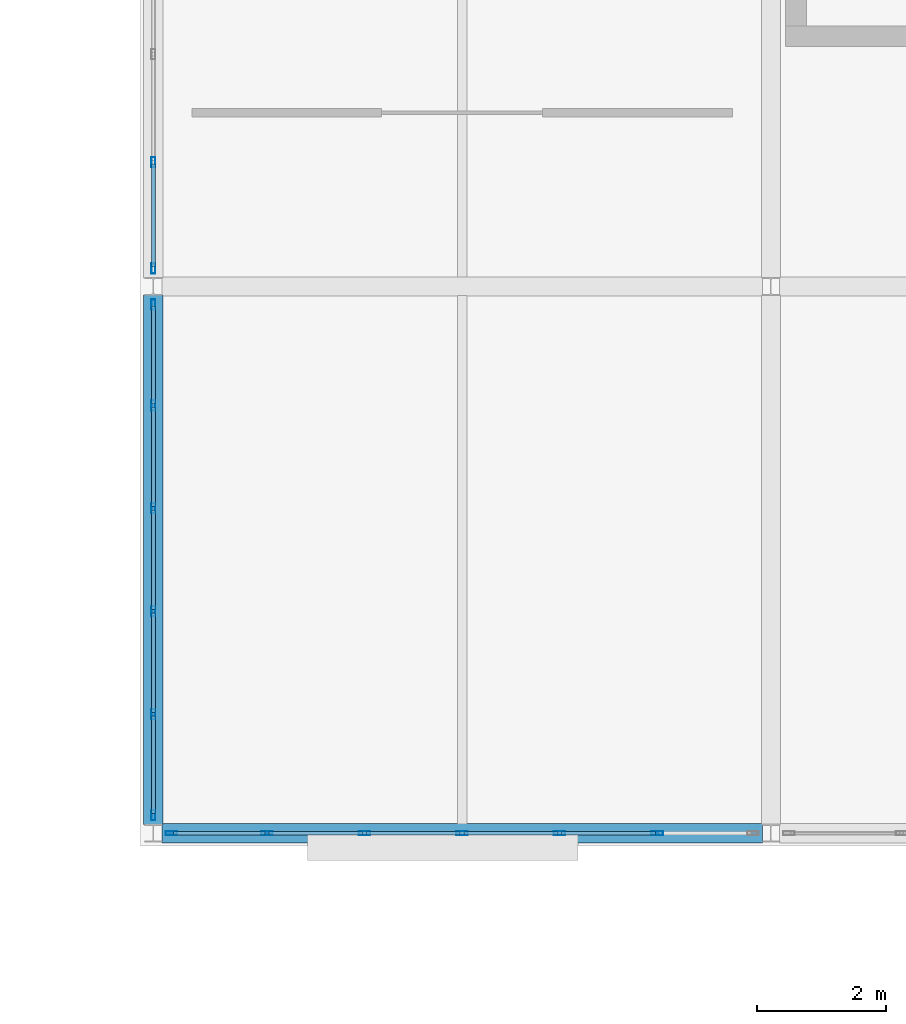
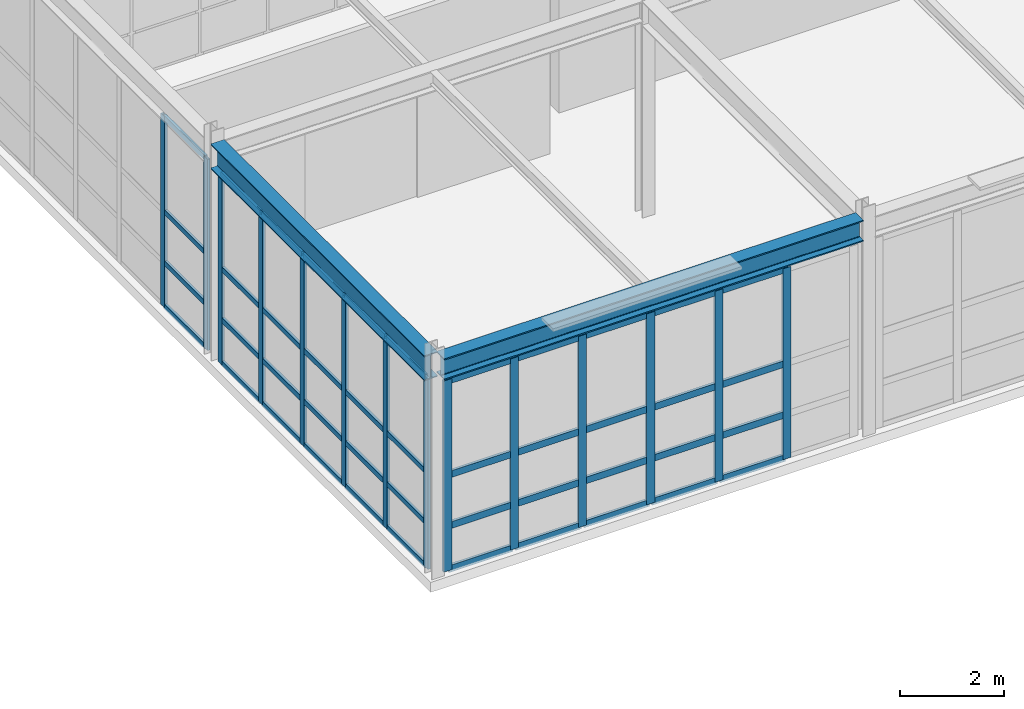
# One storey, part 138 of 239: 58 members, 2 beams, 3 elements without a shape of their own.
"""IFC4 building model written with IfcOpenShell, lengths in metres."""

from ifc_helpers import new_model, si_unit, direction, frame, origin, origin_2d, place, context, subcontext, project, spatial, hollow_rectangle, i_section, extrude, material, material_profile, profile_set, type_object, element, aggregate, save


model = new_model("IFC4")

# Units and contexts
model_context = context("Model", 3, precision=1e-05, world=origin(), true_north=direction((0.0, 1.0)))
body_context = subcontext(model_context, "Body", "Model", "MODEL_VIEW")
ifc_project = project(units=[si_unit("LENGTHUNIT", "METRE"), si_unit("AREAUNIT", "SQUARE_METRE"), si_unit("VOLUMEUNIT", "CUBIC_METRE"), si_unit("PLANEANGLEUNIT", "RADIAN"), si_unit("MASSUNIT", "GRAM", prefix="KILO")], contexts=[model_context])

# Site, building, storey
site_placement = place(None, origin())
site = spatial("IfcSite", under=ifc_project, at=site_placement, CompositionType="ELEMENT")
building_placement = place(site_placement, origin())
building = spatial("IfcBuilding", under=site, at=building_placement, Name="Kaldris Quays Convention Centre", CompositionType="ELEMENT")
storey_placement = place(building_placement, frame((0.0, 0.0, 11.39990234375)))
storey = spatial("IfcBuildingStorey", under=building, at=storey_placement, Name="L02", CompositionType="ELEMENT", Elevation=11.39990234375)

# Curtain wall, members
ifc_material_1 = material(Name="Anodized aluminium AW-6060 and triple glazing", Category="aluminium")
curtain_wall_type = type_object("IfcCurtainWallType", Name="UNITISED CURTAIN WALL CW02", PredefinedType="NOTDEFINED", material=ifc_material_1)
curtain_wall_1_placement = place(storey_placement, origin())
curtain_wall_1 = element("IfcCurtainWall", 1, at=curtain_wall_1_placement, inside=storey, type_object=curtain_wall_type, Name="L02 Unitised Curtain Wall CW02 209", PredefinedType="NOTDEFINED")
ifc_material_2 = material(Name="Anodized aluminium AW-6060", Category="aluminium")
ifc_material_profile_1 = material_profile(ifc_material_2, hollow_rectangle(XDim=0.06005859375, YDim=0.159912109375, WallThickness=0.00390625, at=origin_2d()), Name="RHS 160x60x4")
ifc_profile_set_1 = profile_set([ifc_material_profile_1], Name="Anodized aluminium AW-6060")
member_type_1 = type_object("IfcMemberType", Name="CURTAIN MULLION CWM1", PredefinedType="MULLION", material=ifc_profile_set_1)
member_1_placement = place(storey_placement, frame((155.0, 20.280029296875, 0.0), z_axis=(0.0, 0.0, 1.0), x_axis=(-1.0, 0.0, 0.0)))
member_1 = element("IfcMember", 2, at=member_1_placement, type_object=member_type_1, Name="CW02 mullion 1", PredefinedType="MULLION", context=body_context, shape_type="SweptSolid", body=[
    extrude(hollow_rectangle(XDim=0.06005859375, YDim=0.159912109375, WallThickness=0.00390625, at=origin_2d()), origin(), (0.0, 0.0, 1.0), 4.498046875),
])
member_2_placement = place(storey_placement, frame((155.0, 21.85009765625, 0.0), z_axis=(0.0, 0.0, 1.0), x_axis=(-1.0, 0.0, 0.0)))
member_2 = element("IfcMember", 3, at=member_2_placement, type_object=member_type_1, Name="CW02 mullion 2", PredefinedType="MULLION", context=body_context, shape_type="SweptSolid", body=[
    extrude(hollow_rectangle(XDim=0.06005859375, YDim=0.159912109375, WallThickness=0.00390625, at=origin_2d()), origin(), (0.0, 0.0, 1.0), 4.498046875),
])
member_3_placement = place(storey_placement, frame((155.0, 23.449951171875, 0.0), z_axis=(0.0, 0.0, 1.0), x_axis=(-1.0, 0.0, 0.0)))
member_3 = element("IfcMember", 4, at=member_3_placement, type_object=member_type_1, Name="CW02 mullion 3", PredefinedType="MULLION", context=body_context, shape_type="SweptSolid", body=[
    extrude(hollow_rectangle(XDim=0.06005859375, YDim=0.159912109375, WallThickness=0.00390625, at=origin_2d()), origin(), (0.0, 0.0, 1.0), 4.498046875),
])
member_4_placement = place(storey_placement, frame((155.0, 25.050048828125, 0.0), z_axis=(0.0, 0.0, 1.0), x_axis=(-1.0, 0.0, 0.0)))
member_4 = element("IfcMember", 5, at=member_4_placement, type_object=member_type_1, Name="CW02 mullion 4", PredefinedType="MULLION", context=body_context, shape_type="SweptSolid", body=[
    extrude(hollow_rectangle(XDim=0.06005859375, YDim=0.159912109375, WallThickness=0.00390625, at=origin_2d()), origin(), (0.0, 0.0, 1.0), 4.498046875),
])
member_5_placement = place(storey_placement, frame((155.0, 26.64990234375, 0.0), z_axis=(0.0, 0.0, 1.0), x_axis=(-1.0, 0.0, 0.0)))
member_5 = element("IfcMember", 6, at=member_5_placement, type_object=member_type_1, Name="CW02 mullion 5", PredefinedType="MULLION", context=body_context, shape_type="SweptSolid", body=[
    extrude(hollow_rectangle(XDim=0.06005859375, YDim=0.159912109375, WallThickness=0.00390625, at=origin_2d()), origin(), (0.0, 0.0, 1.0), 4.498046875),
])
member_6_placement = place(storey_placement, frame((155.0, 28.219970703125, 0.0), z_axis=(0.0, 0.0, 1.0), x_axis=(-1.0, 0.0, 0.0)))
member_6 = element("IfcMember", 7, at=member_6_placement, type_object=member_type_1, Name="CW02 mullion 6", PredefinedType="MULLION", context=body_context, shape_type="SweptSolid", body=[
    extrude(hollow_rectangle(XDim=0.06005859375, YDim=0.159912109375, WallThickness=0.00390625, at=origin_2d()), origin(), (0.0, 0.0, 1.0), 4.498046875),
])

curtain_wall_2_placement = place(storey_placement, origin())
curtain_wall_2 = element("IfcCurtainWall", 8, at=curtain_wall_2_placement, inside=storey, type_object=curtain_wall_type, Name="L02 Unitised Curtain Wall CW02 211", PredefinedType="NOTDEFINED")
member_7_placement = place(storey_placement, frame((155.0, 28.780029296875, 0.0), z_axis=(0.0, 0.0, 1.0), x_axis=(-1.0, 0.0, 0.0)))
member_7 = element("IfcMember", 9, at=member_7_placement, type_object=member_type_1, Name="CW02 mullion 1", PredefinedType="MULLION", context=body_context, shape_type="SweptSolid", body=[
    extrude(hollow_rectangle(XDim=0.06005859375, YDim=0.159912109375, WallThickness=0.00390625, at=origin_2d()), origin(), (0.0, 0.0, 1.0), 4.498046875),
])
member_8_placement = place(storey_placement, frame((155.0, 30.429931640625, 0.0), z_axis=(0.0, 0.0, 1.0), x_axis=(-1.0, 0.0, 0.0)))
member_8 = element("IfcMember", 10, at=member_8_placement, type_object=member_type_1, Name="CW02 mullion 2", PredefinedType="MULLION", context=body_context, shape_type="SweptSolid", body=[
    extrude(hollow_rectangle(XDim=0.06005859375, YDim=0.159912109375, WallThickness=0.00390625, at=origin_2d()), origin(), (0.0, 0.0, 1.0), 4.498046875),
])

curtain_wall_3_placement = place(storey_placement, origin())
curtain_wall_3 = element("IfcCurtainWall", 11, at=curtain_wall_3_placement, inside=storey, type_object=curtain_wall_type, Name="L02 Unitised Curtain Wall CW02 199", PredefinedType="NOTDEFINED")
ifc_material_profile_2 = material_profile(ifc_material_2, hollow_rectangle(XDim=0.06005859375, YDim=0.179931640625, WallThickness=0.0048828125, at=origin_2d()), Name="RHS 180x60x5")
ifc_profile_set_2 = profile_set([ifc_material_profile_2], Name="Anodized aluminium AW-6060")
member_type_2 = type_object("IfcMemberType", Name="CURTAIN MULLION CWM2", PredefinedType="MULLION", material=ifc_profile_set_2)
member_9_placement = place(storey_placement, frame((155.280029296875, 20.0, 0.0), z_axis=(0.0, 0.0, 1.0), x_axis=(0.0, 1.0, 0.0)))
member_9 = element("IfcMember", 12, at=member_9_placement, type_object=member_type_2, Name="CW02 mullion 1", PredefinedType="MULLION", context=body_context, shape_type="SweptSolid", body=[
    extrude(hollow_rectangle(XDim=0.06005859375, YDim=0.179931640625, WallThickness=0.0048828125, at=origin_2d()), origin(), (0.0, 0.0, 1.0), 4.498046875),
])
member_10_placement = place(storey_placement, frame((156.7666015625, 20.0, 0.0), z_axis=(0.0, 0.0, 1.0), x_axis=(0.0, 1.0, 0.0)))
member_10 = element("IfcMember", 13, at=member_10_placement, type_object=member_type_2, Name="CW02 mullion 2", PredefinedType="MULLION", context=body_context, shape_type="SweptSolid", body=[
    extrude(hollow_rectangle(XDim=0.06005859375, YDim=0.179931640625, WallThickness=0.0048828125, at=origin_2d()), origin(), (0.0, 0.0, 1.0), 4.498046875),
])
member_11_placement = place(storey_placement, frame((158.283447265625, 20.0, 0.0), z_axis=(0.0, 0.0, 1.0), x_axis=(0.0, 1.0, 0.0)))
member_11 = element("IfcMember", 14, at=member_11_placement, type_object=member_type_2, Name="CW02 mullion 3", PredefinedType="MULLION", context=body_context, shape_type="SweptSolid", body=[
    extrude(hollow_rectangle(XDim=0.06005859375, YDim=0.179931640625, WallThickness=0.0048828125, at=origin_2d()), origin(), (0.0, 0.0, 1.0), 4.498046875),
])
member_12_placement = place(storey_placement, frame((159.800048828125, 20.0, 0.0), z_axis=(0.0, 0.0, 1.0), x_axis=(0.0, 1.0, 0.0)))
member_12 = element("IfcMember", 15, at=member_12_placement, type_object=member_type_2, Name="CW02 mullion 4", PredefinedType="MULLION", context=body_context, shape_type="SweptSolid", body=[
    extrude(hollow_rectangle(XDim=0.06005859375, YDim=0.179931640625, WallThickness=0.0048828125, at=origin_2d()), origin(), (0.0, 0.0, 1.0), 4.498046875),
])
member_13_placement = place(storey_placement, frame((161.316650390625, 20.0, 0.0), z_axis=(0.0, 0.0, 1.0), x_axis=(0.0, 1.0, 0.0)))
member_13 = element("IfcMember", 16, at=member_13_placement, type_object=member_type_2, Name="CW02 mullion 5", PredefinedType="MULLION", context=body_context, shape_type="SweptSolid", body=[
    extrude(hollow_rectangle(XDim=0.06005859375, YDim=0.179931640625, WallThickness=0.0048828125, at=origin_2d()), origin(), (0.0, 0.0, 1.0), 4.498046875),
])
member_14_placement = place(storey_placement, frame((162.833251953125, 20.0, 0.0), z_axis=(0.0, 0.0, 1.0), x_axis=(0.0, 1.0, 0.0)))
member_14 = element("IfcMember", 17, at=member_14_placement, type_object=member_type_2, Name="CW02 mullion 6", PredefinedType="MULLION", context=body_context, shape_type="SweptSolid", body=[
    extrude(hollow_rectangle(XDim=0.06005859375, YDim=0.179931640625, WallThickness=0.0048828125, at=origin_2d()), origin(), (0.0, 0.0, 1.0), 4.498046875),
])

# Member
ifc_material_profile_3 = material_profile(ifc_material_2, hollow_rectangle(XDim=0.06005859375, YDim=0.1201171875, WallThickness=0.00390625, at=origin_2d()), Name="RHS 120x60x4")
ifc_profile_set_3 = profile_set([ifc_material_profile_3], Name="Anodized aluminium AW-6060")
member_type_3 = type_object("IfcMemberType", Name="CURTAIN TRANSOM CWT1", PredefinedType="USERDEFINED", material=ifc_profile_set_3)
member_15_placement = place(storey_placement, frame((155.0, 20.31005859375, 0.030029296875), z_axis=(0.0, 1.0, 0.0), x_axis=(-1.0, 0.0, 0.0)))
member_15 = element("IfcMember", 18, at=member_15_placement, type_object=member_type_3, Name="CW02 transom 1.1", ObjectType="TRANSOM", PredefinedType="USERDEFINED", context=body_context, shape_type="SweptSolid", body=[
    extrude(hollow_rectangle(XDim=0.06005859375, YDim=0.1201171875, WallThickness=0.00390625, at=origin_2d()), origin(), (0.0, 0.0, 1.0), 1.510009765625),
])

member_16_placement = place(storey_placement, frame((155.0, 20.31005859375, 1.050048828125), z_axis=(0.0, 1.0, 0.0), x_axis=(-1.0, 0.0, 0.0)))
member_16 = element("IfcMember", 19, at=member_16_placement, type_object=member_type_3, Name="CW02 transom 1.2", ObjectType="TRANSOM", PredefinedType="USERDEFINED", context=body_context, shape_type="SweptSolid", body=[
    extrude(hollow_rectangle(XDim=0.06005859375, YDim=0.1201171875, WallThickness=0.00390625, at=origin_2d()), origin(), (0.0, 0.0, 1.0), 1.510009765625),
])

member_17_placement = place(storey_placement, frame((155.0, 20.31005859375, 2.2490234375), z_axis=(0.0, 1.0, 0.0), x_axis=(-1.0, 0.0, 0.0)))
member_17 = element("IfcMember", 20, at=member_17_placement, type_object=member_type_3, Name="CW02 transom 1.3", ObjectType="TRANSOM", PredefinedType="USERDEFINED", context=body_context, shape_type="SweptSolid", body=[
    extrude(hollow_rectangle(XDim=0.06005859375, YDim=0.1201171875, WallThickness=0.00390625, at=origin_2d()), origin(), (0.0, 0.0, 1.0), 1.510009765625),
])

member_18_placement = place(storey_placement, frame((155.0, 20.31005859375, 4.468017578125), z_axis=(0.0, 1.0, 0.0), x_axis=(-1.0, 0.0, 0.0)))
member_18 = element("IfcMember", 21, at=member_18_placement, type_object=member_type_3, Name="CW02 transom 1.4", ObjectType="TRANSOM", PredefinedType="USERDEFINED", context=body_context, shape_type="SweptSolid", body=[
    extrude(hollow_rectangle(XDim=0.06005859375, YDim=0.1201171875, WallThickness=0.00390625, at=origin_2d()), origin(), (0.0, 0.0, 1.0), 1.510009765625),
])

member_19_placement = place(storey_placement, frame((155.0, 21.8798828125, 0.030029296875), z_axis=(0.0, 1.0, 0.0), x_axis=(-1.0, 0.0, 0.0)))
member_19 = element("IfcMember", 22, at=member_19_placement, type_object=member_type_3, Name="CW02 transom 2.1", ObjectType="TRANSOM", PredefinedType="USERDEFINED", context=body_context, shape_type="SweptSolid", body=[
    extrude(hollow_rectangle(XDim=0.06005859375, YDim=0.1201171875, WallThickness=0.00390625, at=origin_2d()), origin(), (0.0, 0.0, 1.0), 1.5400390625),
])

member_20_placement = place(storey_placement, frame((155.0, 21.8798828125, 1.050048828125), z_axis=(0.0, 1.0, 0.0), x_axis=(-1.0, 0.0, 0.0)))
member_20 = element("IfcMember", 23, at=member_20_placement, type_object=member_type_3, Name="CW02 transom 2.2", ObjectType="TRANSOM", PredefinedType="USERDEFINED", context=body_context, shape_type="SweptSolid", body=[
    extrude(hollow_rectangle(XDim=0.06005859375, YDim=0.1201171875, WallThickness=0.00390625, at=origin_2d()), origin(), (0.0, 0.0, 1.0), 1.5400390625),
])

member_21_placement = place(storey_placement, frame((155.0, 21.8798828125, 2.2490234375), z_axis=(0.0, 1.0, 0.0), x_axis=(-1.0, 0.0, 0.0)))
member_21 = element("IfcMember", 24, at=member_21_placement, type_object=member_type_3, Name="CW02 transom 2.3", ObjectType="TRANSOM", PredefinedType="USERDEFINED", context=body_context, shape_type="SweptSolid", body=[
    extrude(hollow_rectangle(XDim=0.06005859375, YDim=0.1201171875, WallThickness=0.00390625, at=origin_2d()), origin(), (0.0, 0.0, 1.0), 1.5400390625),
])

member_22_placement = place(storey_placement, frame((155.0, 21.8798828125, 4.468017578125), z_axis=(0.0, 1.0, 0.0), x_axis=(-1.0, 0.0, 0.0)))
member_22 = element("IfcMember", 25, at=member_22_placement, type_object=member_type_3, Name="CW02 transom 2.4", ObjectType="TRANSOM", PredefinedType="USERDEFINED", context=body_context, shape_type="SweptSolid", body=[
    extrude(hollow_rectangle(XDim=0.06005859375, YDim=0.1201171875, WallThickness=0.00390625, at=origin_2d()), origin(), (0.0, 0.0, 1.0), 1.5400390625),
])

member_23_placement = place(storey_placement, frame((155.0, 23.47998046875, 0.030029296875), z_axis=(0.0, 1.0, 0.0), x_axis=(-1.0, 0.0, 0.0)))
member_23 = element("IfcMember", 26, at=member_23_placement, type_object=member_type_3, Name="CW02 transom 3.1", ObjectType="TRANSOM", PredefinedType="USERDEFINED", context=body_context, shape_type="SweptSolid", body=[
    extrude(hollow_rectangle(XDim=0.06005859375, YDim=0.1201171875, WallThickness=0.00390625, at=origin_2d()), origin(), (0.0, 0.0, 1.0), 1.5400390625),
])

member_24_placement = place(storey_placement, frame((155.0, 23.47998046875, 1.050048828125), z_axis=(0.0, 1.0, 0.0), x_axis=(-1.0, 0.0, 0.0)))
member_24 = element("IfcMember", 27, at=member_24_placement, type_object=member_type_3, Name="CW02 transom 3.2", ObjectType="TRANSOM", PredefinedType="USERDEFINED", context=body_context, shape_type="SweptSolid", body=[
    extrude(hollow_rectangle(XDim=0.06005859375, YDim=0.1201171875, WallThickness=0.00390625, at=origin_2d()), origin(), (0.0, 0.0, 1.0), 1.5400390625),
])

member_25_placement = place(storey_placement, frame((155.0, 23.47998046875, 2.2490234375), z_axis=(0.0, 1.0, 0.0), x_axis=(-1.0, 0.0, 0.0)))
member_25 = element("IfcMember", 28, at=member_25_placement, type_object=member_type_3, Name="CW02 transom 3.3", ObjectType="TRANSOM", PredefinedType="USERDEFINED", context=body_context, shape_type="SweptSolid", body=[
    extrude(hollow_rectangle(XDim=0.06005859375, YDim=0.1201171875, WallThickness=0.00390625, at=origin_2d()), origin(), (0.0, 0.0, 1.0), 1.5400390625),
])

member_26_placement = place(storey_placement, frame((155.0, 23.47998046875, 4.468017578125), z_axis=(0.0, 1.0, 0.0), x_axis=(-1.0, 0.0, 0.0)))
member_26 = element("IfcMember", 29, at=member_26_placement, type_object=member_type_3, Name="CW02 transom 3.4", ObjectType="TRANSOM", PredefinedType="USERDEFINED", context=body_context, shape_type="SweptSolid", body=[
    extrude(hollow_rectangle(XDim=0.06005859375, YDim=0.1201171875, WallThickness=0.00390625, at=origin_2d()), origin(), (0.0, 0.0, 1.0), 1.5400390625),
])

member_27_placement = place(storey_placement, frame((155.0, 25.080078125, 0.030029296875), z_axis=(0.0, 1.0, 0.0), x_axis=(-1.0, 0.0, 0.0)))
member_27 = element("IfcMember", 30, at=member_27_placement, type_object=member_type_3, Name="CW02 transom 4.1", ObjectType="TRANSOM", PredefinedType="USERDEFINED", context=body_context, shape_type="SweptSolid", body=[
    extrude(hollow_rectangle(XDim=0.06005859375, YDim=0.1201171875, WallThickness=0.00390625, at=origin_2d()), origin(), (0.0, 0.0, 1.0), 1.5400390625),
])

member_28_placement = place(storey_placement, frame((155.0, 25.080078125, 1.050048828125), z_axis=(0.0, 1.0, 0.0), x_axis=(-1.0, 0.0, 0.0)))
member_28 = element("IfcMember", 31, at=member_28_placement, type_object=member_type_3, Name="CW02 transom 4.2", ObjectType="TRANSOM", PredefinedType="USERDEFINED", context=body_context, shape_type="SweptSolid", body=[
    extrude(hollow_rectangle(XDim=0.06005859375, YDim=0.1201171875, WallThickness=0.00390625, at=origin_2d()), origin(), (0.0, 0.0, 1.0), 1.5400390625),
])

member_29_placement = place(storey_placement, frame((155.0, 25.080078125, 2.2490234375), z_axis=(0.0, 1.0, 0.0), x_axis=(-1.0, 0.0, 0.0)))
member_29 = element("IfcMember", 32, at=member_29_placement, type_object=member_type_3, Name="CW02 transom 4.3", ObjectType="TRANSOM", PredefinedType="USERDEFINED", context=body_context, shape_type="SweptSolid", body=[
    extrude(hollow_rectangle(XDim=0.06005859375, YDim=0.1201171875, WallThickness=0.00390625, at=origin_2d()), origin(), (0.0, 0.0, 1.0), 1.5400390625),
])

member_30_placement = place(storey_placement, frame((155.0, 25.080078125, 4.468017578125), z_axis=(0.0, 1.0, 0.0), x_axis=(-1.0, 0.0, 0.0)))
member_30 = element("IfcMember", 33, at=member_30_placement, type_object=member_type_3, Name="CW02 transom 4.4", ObjectType="TRANSOM", PredefinedType="USERDEFINED", context=body_context, shape_type="SweptSolid", body=[
    extrude(hollow_rectangle(XDim=0.06005859375, YDim=0.1201171875, WallThickness=0.00390625, at=origin_2d()), origin(), (0.0, 0.0, 1.0), 1.5400390625),
])

member_31_placement = place(storey_placement, frame((155.0, 26.679931640625, 0.030029296875), z_axis=(0.0, 1.0, 0.0), x_axis=(-1.0, 0.0, 0.0)))
member_31 = element("IfcMember", 34, at=member_31_placement, type_object=member_type_3, Name="CW02 transom 5.1", ObjectType="TRANSOM", PredefinedType="USERDEFINED", context=body_context, shape_type="SweptSolid", body=[
    extrude(hollow_rectangle(XDim=0.06005859375, YDim=0.1201171875, WallThickness=0.00390625, at=origin_2d()), origin(), (0.0, 0.0, 1.0), 1.510009765625),
])

member_32_placement = place(storey_placement, frame((155.0, 26.679931640625, 1.050048828125), z_axis=(0.0, 1.0, 0.0), x_axis=(-1.0, 0.0, 0.0)))
member_32 = element("IfcMember", 35, at=member_32_placement, type_object=member_type_3, Name="CW02 transom 5.2", ObjectType="TRANSOM", PredefinedType="USERDEFINED", context=body_context, shape_type="SweptSolid", body=[
    extrude(hollow_rectangle(XDim=0.06005859375, YDim=0.1201171875, WallThickness=0.00390625, at=origin_2d()), origin(), (0.0, 0.0, 1.0), 1.510009765625),
])

member_33_placement = place(storey_placement, frame((155.0, 26.679931640625, 2.2490234375), z_axis=(0.0, 1.0, 0.0), x_axis=(-1.0, 0.0, 0.0)))
member_33 = element("IfcMember", 36, at=member_33_placement, type_object=member_type_3, Name="CW02 transom 5.3", ObjectType="TRANSOM", PredefinedType="USERDEFINED", context=body_context, shape_type="SweptSolid", body=[
    extrude(hollow_rectangle(XDim=0.06005859375, YDim=0.1201171875, WallThickness=0.00390625, at=origin_2d()), origin(), (0.0, 0.0, 1.0), 1.510009765625),
])

member_34_placement = place(storey_placement, frame((155.0, 26.679931640625, 4.468017578125), z_axis=(0.0, 1.0, 0.0), x_axis=(-1.0, 0.0, 0.0)))
member_34 = element("IfcMember", 37, at=member_34_placement, type_object=member_type_3, Name="CW02 transom 5.4", ObjectType="TRANSOM", PredefinedType="USERDEFINED", context=body_context, shape_type="SweptSolid", body=[
    extrude(hollow_rectangle(XDim=0.06005859375, YDim=0.1201171875, WallThickness=0.00390625, at=origin_2d()), origin(), (0.0, 0.0, 1.0), 1.510009765625),
])

aggregate(curtain_wall_1, [member_1, member_2, member_3, member_4, member_5, member_6, member_15, member_16, member_17, member_18, member_19, member_20, member_21, member_22, member_23, member_24, member_25, member_26, member_27, member_28, member_29, member_30, member_31, member_32, member_33, member_34])

member_35_placement = place(storey_placement, frame((155.0, 28.81005859375, 0.030029296875), z_axis=(0.0, 1.0, 0.0), x_axis=(-1.0, 0.0, 0.0)))
member_35 = element("IfcMember", 38, at=member_35_placement, type_object=member_type_3, Name="CW02 transom 1.1", ObjectType="TRANSOM", PredefinedType="USERDEFINED", context=body_context, shape_type="SweptSolid", body=[
    extrude(hollow_rectangle(XDim=0.06005859375, YDim=0.1201171875, WallThickness=0.00390625, at=origin_2d()), origin(), (0.0, 0.0, 1.0), 1.58984375),
])

member_36_placement = place(storey_placement, frame((155.0, 28.81005859375, 1.050048828125), z_axis=(0.0, 1.0, 0.0), x_axis=(-1.0, 0.0, 0.0)))
member_36 = element("IfcMember", 39, at=member_36_placement, type_object=member_type_3, Name="CW02 transom 1.2", ObjectType="TRANSOM", PredefinedType="USERDEFINED", context=body_context, shape_type="SweptSolid", body=[
    extrude(hollow_rectangle(XDim=0.06005859375, YDim=0.1201171875, WallThickness=0.00390625, at=origin_2d()), origin(), (0.0, 0.0, 1.0), 1.58984375),
])

member_37_placement = place(storey_placement, frame((155.0, 28.81005859375, 2.2490234375), z_axis=(0.0, 1.0, 0.0), x_axis=(-1.0, 0.0, 0.0)))
member_37 = element("IfcMember", 40, at=member_37_placement, type_object=member_type_3, Name="CW02 transom 1.3", ObjectType="TRANSOM", PredefinedType="USERDEFINED", context=body_context, shape_type="SweptSolid", body=[
    extrude(hollow_rectangle(XDim=0.06005859375, YDim=0.1201171875, WallThickness=0.00390625, at=origin_2d()), origin(), (0.0, 0.0, 1.0), 1.58984375),
])

member_38_placement = place(storey_placement, frame((155.0, 28.81005859375, 4.468017578125), z_axis=(0.0, 1.0, 0.0), x_axis=(-1.0, 0.0, 0.0)))
member_38 = element("IfcMember", 41, at=member_38_placement, type_object=member_type_3, Name="CW02 transom 1.4", ObjectType="TRANSOM", PredefinedType="USERDEFINED", context=body_context, shape_type="SweptSolid", body=[
    extrude(hollow_rectangle(XDim=0.06005859375, YDim=0.1201171875, WallThickness=0.00390625, at=origin_2d()), origin(), (0.0, 0.0, 1.0), 1.58984375),
])

aggregate(curtain_wall_2, [member_7, member_8, member_35, member_36, member_37, member_38])

ifc_material_profile_4 = material_profile(ifc_material_2, hollow_rectangle(XDim=0.06005859375, YDim=0.159912109375, WallThickness=0.00390625, at=origin_2d()), Name="RHS 160x60x4")
ifc_profile_set_4 = profile_set([ifc_material_profile_4], Name="Anodized aluminium AW-6060")
member_type_4 = type_object("IfcMemberType", Name="CURTAIN TRANSOM CWT2", PredefinedType="USERDEFINED", material=ifc_profile_set_4)
member_39_placement = place(storey_placement, frame((155.31005859375, 20.0, 0.030029296875), z_axis=(1.0, 0.0, 0.0), x_axis=(0.0, 1.0, 0.0)))
member_39 = element("IfcMember", 42, at=member_39_placement, type_object=member_type_4, Name="CW02 transom 1.1", ObjectType="TRANSOM", PredefinedType="USERDEFINED", context=body_context, shape_type="SweptSolid", body=[
    extrude(hollow_rectangle(XDim=0.06005859375, YDim=0.159912109375, WallThickness=0.00390625, at=origin_2d()), origin(), (0.0, 0.0, 1.0), 1.426513671875),
])

member_40_placement = place(storey_placement, frame((155.31005859375, 20.0, 1.050048828125), z_axis=(1.0, 0.0, 0.0), x_axis=(0.0, 1.0, 0.0)))
member_40 = element("IfcMember", 43, at=member_40_placement, type_object=member_type_4, Name="CW02 transom 1.2", ObjectType="TRANSOM", PredefinedType="USERDEFINED", context=body_context, shape_type="SweptSolid", body=[
    extrude(hollow_rectangle(XDim=0.06005859375, YDim=0.159912109375, WallThickness=0.00390625, at=origin_2d()), origin(), (0.0, 0.0, 1.0), 1.426513671875),
])

member_41_placement = place(storey_placement, frame((155.31005859375, 20.0, 2.2490234375), z_axis=(1.0, 0.0, 0.0), x_axis=(0.0, 1.0, 0.0)))
member_41 = element("IfcMember", 44, at=member_41_placement, type_object=member_type_4, Name="CW02 transom 1.3", ObjectType="TRANSOM", PredefinedType="USERDEFINED", context=body_context, shape_type="SweptSolid", body=[
    extrude(hollow_rectangle(XDim=0.06005859375, YDim=0.159912109375, WallThickness=0.00390625, at=origin_2d()), origin(), (0.0, 0.0, 1.0), 1.426513671875),
])

member_42_placement = place(storey_placement, frame((155.31005859375, 20.0, 4.468017578125), z_axis=(1.0, 0.0, 0.0), x_axis=(0.0, 1.0, 0.0)))
member_42 = element("IfcMember", 45, at=member_42_placement, type_object=member_type_4, Name="CW02 transom 1.4", ObjectType="TRANSOM", PredefinedType="USERDEFINED", context=body_context, shape_type="SweptSolid", body=[
    extrude(hollow_rectangle(XDim=0.06005859375, YDim=0.159912109375, WallThickness=0.00390625, at=origin_2d()), origin(), (0.0, 0.0, 1.0), 1.426513671875),
])

member_43_placement = place(storey_placement, frame((156.796630859375, 20.0, 0.030029296875), z_axis=(1.0, 0.0, 0.0), x_axis=(0.0, 1.0, 0.0)))
member_43 = element("IfcMember", 46, at=member_43_placement, type_object=member_type_4, Name="CW02 transom 2.1", ObjectType="TRANSOM", PredefinedType="USERDEFINED", context=body_context, shape_type="SweptSolid", body=[
    extrude(hollow_rectangle(XDim=0.06005859375, YDim=0.159912109375, WallThickness=0.00390625, at=origin_2d()), origin(), (0.0, 0.0, 1.0), 1.456787109375),
])

member_44_placement = place(storey_placement, frame((156.796630859375, 20.0, 1.050048828125), z_axis=(1.0, 0.0, 0.0), x_axis=(0.0, 1.0, 0.0)))
member_44 = element("IfcMember", 47, at=member_44_placement, type_object=member_type_4, Name="CW02 transom 2.2", ObjectType="TRANSOM", PredefinedType="USERDEFINED", context=body_context, shape_type="SweptSolid", body=[
    extrude(hollow_rectangle(XDim=0.06005859375, YDim=0.159912109375, WallThickness=0.00390625, at=origin_2d()), origin(), (0.0, 0.0, 1.0), 1.456787109375),
])

member_45_placement = place(storey_placement, frame((156.796630859375, 20.0, 2.2490234375), z_axis=(1.0, 0.0, 0.0), x_axis=(0.0, 1.0, 0.0)))
member_45 = element("IfcMember", 48, at=member_45_placement, type_object=member_type_4, Name="CW02 transom 2.3", ObjectType="TRANSOM", PredefinedType="USERDEFINED", context=body_context, shape_type="SweptSolid", body=[
    extrude(hollow_rectangle(XDim=0.06005859375, YDim=0.159912109375, WallThickness=0.00390625, at=origin_2d()), origin(), (0.0, 0.0, 1.0), 1.456787109375),
])

member_46_placement = place(storey_placement, frame((156.796630859375, 20.0, 4.468017578125), z_axis=(1.0, 0.0, 0.0), x_axis=(0.0, 1.0, 0.0)))
member_46 = element("IfcMember", 49, at=member_46_placement, type_object=member_type_4, Name="CW02 transom 2.4", ObjectType="TRANSOM", PredefinedType="USERDEFINED", context=body_context, shape_type="SweptSolid", body=[
    extrude(hollow_rectangle(XDim=0.06005859375, YDim=0.159912109375, WallThickness=0.00390625, at=origin_2d()), origin(), (0.0, 0.0, 1.0), 1.456787109375),
])

member_47_placement = place(storey_placement, frame((158.313232421875, 20.0, 0.030029296875), z_axis=(1.0, 0.0, 0.0), x_axis=(0.0, 1.0, 0.0)))
member_47 = element("IfcMember", 50, at=member_47_placement, type_object=member_type_4, Name="CW02 transom 3.1", ObjectType="TRANSOM", PredefinedType="USERDEFINED", context=body_context, shape_type="SweptSolid", body=[
    extrude(hollow_rectangle(XDim=0.06005859375, YDim=0.159912109375, WallThickness=0.00390625, at=origin_2d()), origin(), (0.0, 0.0, 1.0), 1.456787109375),
])

member_48_placement = place(storey_placement, frame((158.313232421875, 20.0, 1.050048828125), z_axis=(1.0, 0.0, 0.0), x_axis=(0.0, 1.0, 0.0)))
member_48 = element("IfcMember", 51, at=member_48_placement, type_object=member_type_4, Name="CW02 transom 3.2", ObjectType="TRANSOM", PredefinedType="USERDEFINED", context=body_context, shape_type="SweptSolid", body=[
    extrude(hollow_rectangle(XDim=0.06005859375, YDim=0.159912109375, WallThickness=0.00390625, at=origin_2d()), origin(), (0.0, 0.0, 1.0), 1.456787109375),
])

member_49_placement = place(storey_placement, frame((158.313232421875, 20.0, 2.2490234375), z_axis=(1.0, 0.0, 0.0), x_axis=(0.0, 1.0, 0.0)))
member_49 = element("IfcMember", 52, at=member_49_placement, type_object=member_type_4, Name="CW02 transom 3.3", ObjectType="TRANSOM", PredefinedType="USERDEFINED", context=body_context, shape_type="SweptSolid", body=[
    extrude(hollow_rectangle(XDim=0.06005859375, YDim=0.159912109375, WallThickness=0.00390625, at=origin_2d()), origin(), (0.0, 0.0, 1.0), 1.456787109375),
])

member_50_placement = place(storey_placement, frame((158.313232421875, 20.0, 4.468017578125), z_axis=(1.0, 0.0, 0.0), x_axis=(0.0, 1.0, 0.0)))
member_50 = element("IfcMember", 53, at=member_50_placement, type_object=member_type_4, Name="CW02 transom 3.4", ObjectType="TRANSOM", PredefinedType="USERDEFINED", context=body_context, shape_type="SweptSolid", body=[
    extrude(hollow_rectangle(XDim=0.06005859375, YDim=0.159912109375, WallThickness=0.00390625, at=origin_2d()), origin(), (0.0, 0.0, 1.0), 1.456787109375),
])

member_51_placement = place(storey_placement, frame((159.830078125, 20.0, 0.030029296875), z_axis=(1.0, 0.0, 0.0), x_axis=(0.0, 1.0, 0.0)))
member_51 = element("IfcMember", 54, at=member_51_placement, type_object=member_type_4, Name="CW02 transom 4.1", ObjectType="TRANSOM", PredefinedType="USERDEFINED", context=body_context, shape_type="SweptSolid", body=[
    extrude(hollow_rectangle(XDim=0.06005859375, YDim=0.159912109375, WallThickness=0.00390625, at=origin_2d()), origin(), (0.0, 0.0, 1.0), 1.45654296875),
])

member_52_placement = place(storey_placement, frame((159.830078125, 20.0, 1.050048828125), z_axis=(1.0, 0.0, 0.0), x_axis=(0.0, 1.0, 0.0)))
member_52 = element("IfcMember", 55, at=member_52_placement, type_object=member_type_4, Name="CW02 transom 4.2", ObjectType="TRANSOM", PredefinedType="USERDEFINED", context=body_context, shape_type="SweptSolid", body=[
    extrude(hollow_rectangle(XDim=0.06005859375, YDim=0.159912109375, WallThickness=0.00390625, at=origin_2d()), origin(), (0.0, 0.0, 1.0), 1.45654296875),
])

member_53_placement = place(storey_placement, frame((159.830078125, 20.0, 2.2490234375), z_axis=(1.0, 0.0, 0.0), x_axis=(0.0, 1.0, 0.0)))
member_53 = element("IfcMember", 56, at=member_53_placement, type_object=member_type_4, Name="CW02 transom 4.3", ObjectType="TRANSOM", PredefinedType="USERDEFINED", context=body_context, shape_type="SweptSolid", body=[
    extrude(hollow_rectangle(XDim=0.06005859375, YDim=0.159912109375, WallThickness=0.00390625, at=origin_2d()), origin(), (0.0, 0.0, 1.0), 1.45654296875),
])

member_54_placement = place(storey_placement, frame((159.830078125, 20.0, 4.468017578125), z_axis=(1.0, 0.0, 0.0), x_axis=(0.0, 1.0, 0.0)))
member_54 = element("IfcMember", 57, at=member_54_placement, type_object=member_type_4, Name="CW02 transom 4.4", ObjectType="TRANSOM", PredefinedType="USERDEFINED", context=body_context, shape_type="SweptSolid", body=[
    extrude(hollow_rectangle(XDim=0.06005859375, YDim=0.159912109375, WallThickness=0.00390625, at=origin_2d()), origin(), (0.0, 0.0, 1.0), 1.45654296875),
])

member_55_placement = place(storey_placement, frame((161.3466796875, 20.0, 0.030029296875), z_axis=(1.0, 0.0, 0.0), x_axis=(0.0, 1.0, 0.0)))
member_55 = element("IfcMember", 58, at=member_55_placement, type_object=member_type_4, Name="CW02 transom 5.1", ObjectType="TRANSOM", PredefinedType="USERDEFINED", context=body_context, shape_type="SweptSolid", body=[
    extrude(hollow_rectangle(XDim=0.06005859375, YDim=0.159912109375, WallThickness=0.00390625, at=origin_2d()), origin(), (0.0, 0.0, 1.0), 1.45654296875),
])

member_56_placement = place(storey_placement, frame((161.3466796875, 20.0, 1.050048828125), z_axis=(1.0, 0.0, 0.0), x_axis=(0.0, 1.0, 0.0)))
member_56 = element("IfcMember", 59, at=member_56_placement, type_object=member_type_4, Name="CW02 transom 5.2", ObjectType="TRANSOM", PredefinedType="USERDEFINED", context=body_context, shape_type="SweptSolid", body=[
    extrude(hollow_rectangle(XDim=0.06005859375, YDim=0.159912109375, WallThickness=0.00390625, at=origin_2d()), origin(), (0.0, 0.0, 1.0), 1.45654296875),
])

member_57_placement = place(storey_placement, frame((161.3466796875, 20.0, 2.2490234375), z_axis=(1.0, 0.0, 0.0), x_axis=(0.0, 1.0, 0.0)))
member_57 = element("IfcMember", 60, at=member_57_placement, type_object=member_type_4, Name="CW02 transom 5.3", ObjectType="TRANSOM", PredefinedType="USERDEFINED", context=body_context, shape_type="SweptSolid", body=[
    extrude(hollow_rectangle(XDim=0.06005859375, YDim=0.159912109375, WallThickness=0.00390625, at=origin_2d()), origin(), (0.0, 0.0, 1.0), 1.45654296875),
])

member_58_placement = place(storey_placement, frame((161.3466796875, 20.0, 4.468017578125), z_axis=(1.0, 0.0, 0.0), x_axis=(0.0, 1.0, 0.0)))
member_58 = element("IfcMember", 61, at=member_58_placement, type_object=member_type_4, Name="CW02 transom 5.4", ObjectType="TRANSOM", PredefinedType="USERDEFINED", context=body_context, shape_type="SweptSolid", body=[
    extrude(hollow_rectangle(XDim=0.06005859375, YDim=0.159912109375, WallThickness=0.00390625, at=origin_2d()), origin(), (0.0, 0.0, 1.0), 1.45654296875),
])

aggregate(curtain_wall_3, [member_9, member_10, member_11, member_12, member_13, member_14, member_39, member_40, member_41, member_42, member_43, member_44, member_45, member_46, member_47, member_48, member_49, member_50, member_51, member_52, member_53, member_54, member_55, member_56, member_57, member_58])

# Beams
ifc_material_3 = material(Name="Steel S355J2", Category="steel")
ifc_material_profile_5 = material_profile(ifc_material_3, i_section(OverallWidth=0.300048828125, OverallDepth=0.5, WebThickness=0.014404296875, FlangeThickness=0.028076171875, FilletRadius=0.027099609375, at=origin_2d()), Name="HEB 500")
ifc_profile_set_5 = profile_set([ifc_material_profile_5], Name="Steel S355J2")
beam_type_1 = type_object("IfcBeamType", Name="STRUCTURAL BEAM BM06", PredefinedType="BEAM", material=ifc_profile_set_5)
beam_1_placement = place(storey_placement, frame((155.134033203125, 20.0, 4.863037109375), z_axis=(1.0, 0.0, 0.0), x_axis=(0.0, 1.0, 0.0)))
element("IfcBeam", 62, at=beam_1_placement, inside=storey, type_object=beam_type_1, Name="L02 Girder BM06 1", PredefinedType="BEAM", context=body_context, shape_type="SweptSolid", body=[
    extrude(i_section(OverallWidth=0.300048828125, OverallDepth=0.5, WebThickness=0.014404296875, FlangeThickness=0.028076171875, FilletRadius=0.027099609375, at=origin_2d()), origin(), (0.0, 0.0, 1.0), 9.33203125),
])
ifc_material_profile_6 = material_profile(ifc_material_3, i_section(OverallWidth=0.300048828125, OverallDepth=0.590087890625, WebThickness=0.012939453125, FlangeThickness=0.02490234375, FilletRadius=0.027099609375, at=origin_2d()), Name="HEA 600")
ifc_profile_set_6 = profile_set([ifc_material_profile_6], Name="Steel S355J2")
beam_type_2 = type_object("IfcBeamType", Name="STRUCTURAL BEAM BM08", PredefinedType="BEAM", material=ifc_profile_set_6)
beam_2_placement = place(storey_placement, frame((155.0, 20.134033203125, 4.818115234375), z_axis=(0.0, 1.0, 0.0), x_axis=(-1.0, 0.0, 0.0)))
element("IfcBeam", 63, at=beam_2_placement, inside=storey, type_object=beam_type_2, Name="L02 Girder BM08 16", PredefinedType="BEAM", context=body_context, shape_type="SweptSolid", body=[
    extrude(i_section(OverallWidth=0.300048828125, OverallDepth=0.590087890625, WebThickness=0.012939453125, FlangeThickness=0.02490234375, FilletRadius=0.027099609375, at=origin_2d()), origin(), (0.0, 0.0, 1.0), 8.23193359375),
])

save(model, "model.ifc")
